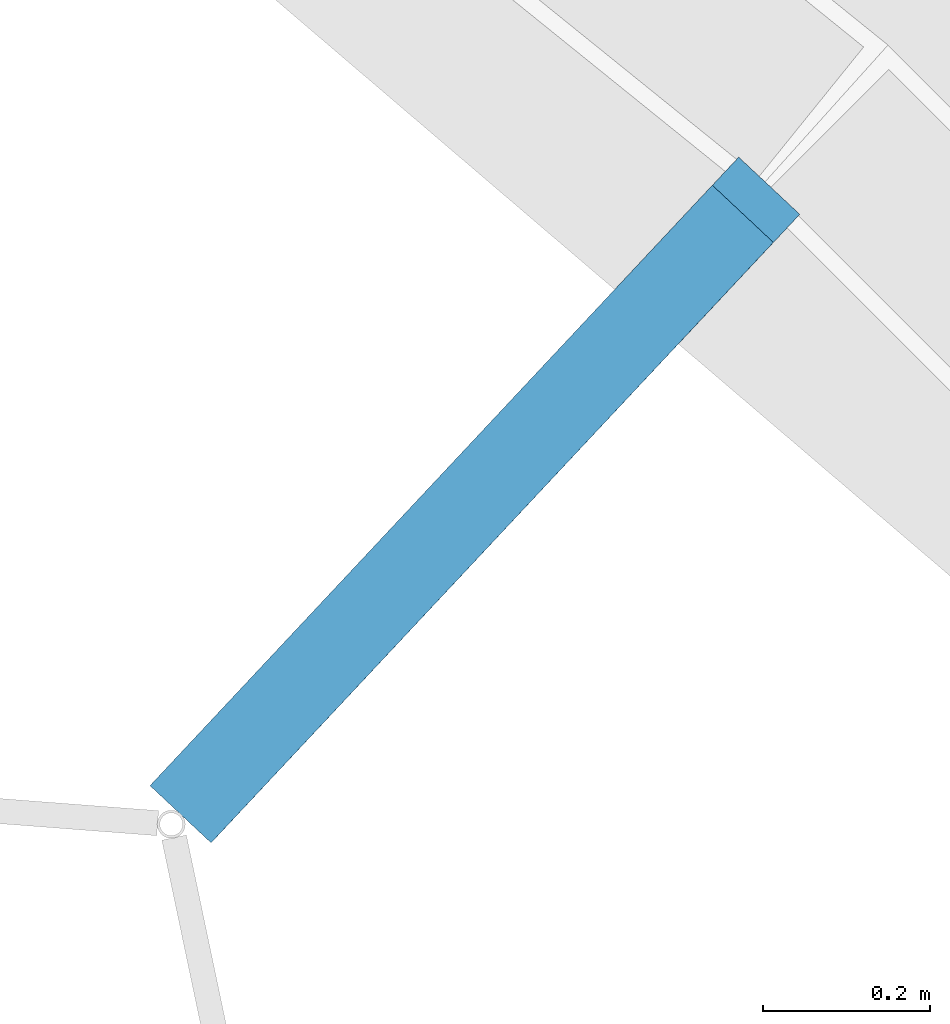
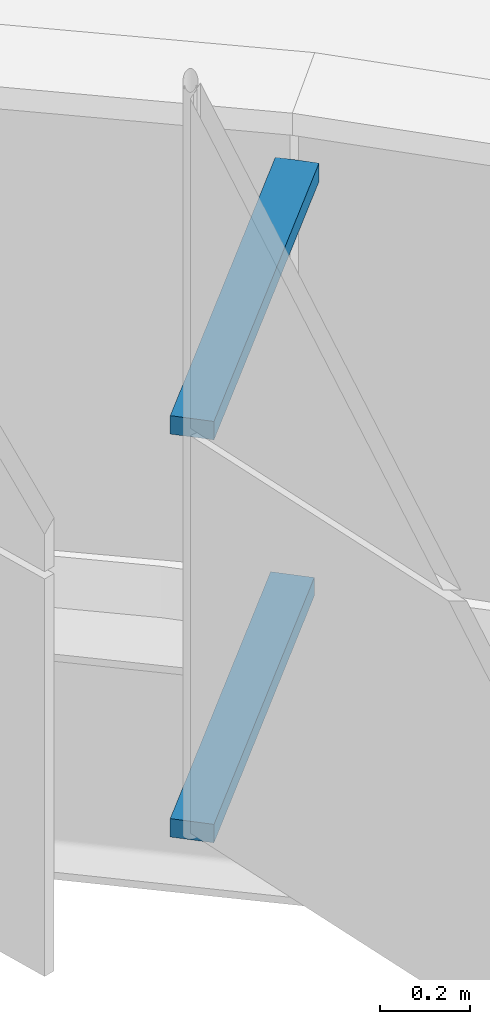
# One storey, part 262 of 483: 2 discrete accessories.
"""IFC4 building model written with IfcOpenShell, lengths in metres."""

from ifc_helpers import new_model, si_unit, direction, frame, origin, origin_2d, place, context, subcontext, project, spatial, rectangle, extrude, material, type_object, element, save


model = new_model("IFC4")

# Units and contexts
model_context = context("Model", 3, precision=1e-05, world=origin(), true_north=direction((0.0, 1.0)))
body_context = subcontext(model_context, "Body", "Model", "MODEL_VIEW")
ifc_project = project(units=[si_unit("LENGTHUNIT", "METRE"), si_unit("AREAUNIT", "SQUARE_METRE"), si_unit("VOLUMEUNIT", "CUBIC_METRE"), si_unit("PLANEANGLEUNIT", "RADIAN"), si_unit("MASSUNIT", "GRAM", prefix="KILO")], contexts=[model_context])

# Site, building, storey
site_placement = place(None, origin())
site = spatial("IfcSite", under=ifc_project, at=site_placement, CompositionType="ELEMENT")
building_placement = place(site_placement, origin())
building = spatial("IfcBuilding", under=site, at=building_placement, Name="Parallax Yard Mobility Hub", CompositionType="ELEMENT")
storey_placement = place(building_placement, frame((0.0, 0.0, 13.199951171875)))
storey = spatial("IfcBuildingStorey", under=building, at=storey_placement, Name="L04", CompositionType="ELEMENT", Elevation=13.199951171875)

# Discrete accessories
ifc_material = material(Name="Steel ASTM A36, hot-dip galvanised", Category="steel")
discrete_accessory_type = type_object("IfcDiscreteAccessoryType", Name="Hinge bracket plate 100x50", PredefinedType="BRACKET", material=ifc_material)
discrete_accessory_1_placement = place(storey_placement, frame((187.218505859375, 106.35205078125, -0.02490234375), z_axis=(0.0, 0.0, 1.0), x_axis=(-0.683592302023, -0.729864072698, 0.0)))
element("IfcDiscreteAccessory", 1, at=discrete_accessory_1_placement, inside=storey, type_object=discrete_accessory_type, Name="Hinge bracket plate bay 20.3 level L04", PredefinedType="BRACKET", context=body_context, shape_type="SweptSolid", body=[
    extrude(rectangle(XDim=0.984130859375, YDim=0.10009765625, at=origin_2d()), origin(), (0.0, 0.0, 1.0), 0.050048828125),
])
discrete_accessory_2_placement = place(storey_placement, frame((187.234375, 106.368896484375, 1.06982421875), z_axis=(0.0, 0.0, 1.0), x_axis=(-0.683592302023, -0.729864072698, 0.0)))
element("IfcDiscreteAccessory", 2, at=discrete_accessory_2_placement, inside=storey, type_object=discrete_accessory_type, Name="Hinge bracket plate bay 20.3 level L04", PredefinedType="BRACKET", context=body_context, shape_type="SweptSolid", body=[
    extrude(rectangle(XDim=1.030029296875, YDim=0.10009765625, at=origin_2d()), origin(), (0.0, 0.0, 1.0), 0.050048828125),
])

save(model, "model.ifc")
